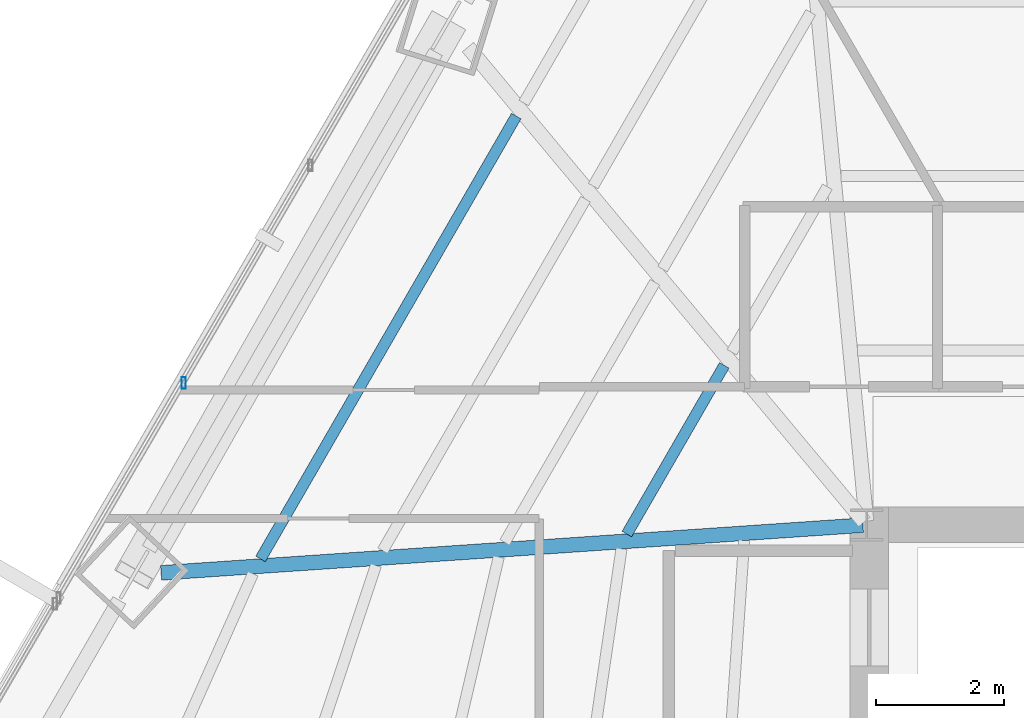
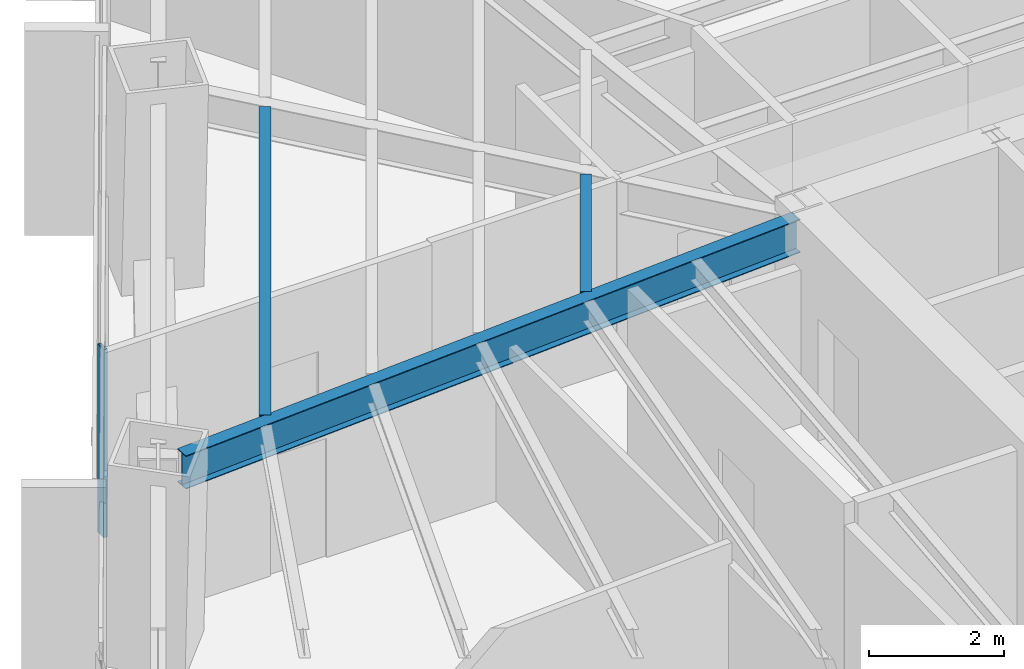
# One storey, part 10 of 33: 3 beams, 1 member, 1 element without a shape of its own.
"""IFC4 building model written with IfcOpenShell, lengths in metres."""

from ifc_helpers import new_model, si_unit, direction, frame, origin, origin_2d, place, context, subcontext, project, spatial, hollow_rectangle, i_section, extrude, source, transform, mapped, material, material_profile, profile_set, type_object, type_shapes, element, aggregate, save


model = new_model("IFC4")

# Units and contexts
model_context = context("Model", 3, precision=1e-05, world=origin(), true_north=direction((0.0, 1.0)))
body_context = subcontext(model_context, "Body", "Model", "MODEL_VIEW")
ifc_project = project(units=[si_unit("LENGTHUNIT", "METRE"), si_unit("AREAUNIT", "SQUARE_METRE"), si_unit("VOLUMEUNIT", "CUBIC_METRE"), si_unit("PLANEANGLEUNIT", "RADIAN"), si_unit("MASSUNIT", "GRAM", prefix="KILO")], contexts=[model_context])

# Site, building, storey
site_placement = place(None, origin())
site = spatial("IfcSite", under=ifc_project, at=site_placement, CompositionType="ELEMENT")
building_placement = place(site_placement, origin())
building = spatial("IfcBuilding", under=site, at=building_placement, Name="Caelisora Broadcast Tower", CompositionType="ELEMENT")
storey_placement = place(building_placement, frame((0.0, 0.0, 34.89990234375)))
storey = spatial("IfcBuildingStorey", under=building, at=storey_placement, Name="L08", CompositionType="ELEMENT", Elevation=34.89990234375)

# Beams
ifc_material_1 = material(Name="Steel Grade 350 (AS/NZS 3679.1)", Category="steel")
ifc_material_profile_1 = material_profile(ifc_material_1, i_section(OverallWidth=0.22802734375, OverallDepth=0.602294921875, WebThickness=0.010498046875, FlangeThickness=0.014892578125, at=origin_2d()), Name="Steel Grade 350 (AS/NZS 3679.1)")
ifc_profile_set_1 = profile_set([ifc_material_profile_1], Name="Steel Grade 350 (AS/NZS 3679.1)")
beam_type_1 = type_object("IfcBeamType", Name="PG04", PredefinedType="BEAM", material=ifc_profile_set_1)
shared_shape_1 = source(origin(), body_context, "Body", "SweptSolid", [
    extrude(i_section(OverallWidth=0.22802734375, OverallDepth=0.602294921875, WebThickness=0.010498046875, FlangeThickness=0.014892578125, at=origin_2d()), origin(), (0.0, 0.0, 1.0), 10.949462890625),
])
type_shapes(beam_type_1, [shared_shape_1])
beam_1_placement = place(storey_placement, frame((30.440185546875, 29.995849609375, 3.098876953125), z_axis=(-0.997698594427, -0.06780497532, 0.0), x_axis=(0.06780497532, -0.997698594427, 0.0)))
element("IfcBeam", 1, at=beam_1_placement, inside=storey, type_object=beam_type_1, Name="L08 beam PG04", PredefinedType="BEAM", context=body_context, shape_type="MappedRepresentation", body=[
    mapped(shared_shape_1, transform((0.0, 0.0, 0.0), scale=1.0)),
])
ifc_material_profile_2 = material_profile(ifc_material_1, i_section(OverallWidth=0.172119140625, OverallDepth=0.358642578125, WebThickness=0.008056640625, FlangeThickness=0.012939453125, at=origin_2d()), Name="Steel Grade 350 (AS/NZS 3679.1)")
ifc_profile_set_2 = profile_set([ifc_material_profile_2], Name="Steel Grade 350 (AS/NZS 3679.1)")
beam_type_2 = type_object("IfcBeamType", Name="SB02", PredefinedType="JOIST", material=ifc_profile_set_2)
shared_shape_2 = source(origin(), body_context, "Body", "SweptSolid", [
    extrude(i_section(OverallWidth=0.172119140625, OverallDepth=0.358642578125, WebThickness=0.008056640625, FlangeThickness=0.012939453125, at=origin_2d()), origin(), (0.0, 0.0, 1.0), 3.03173828125),
])
beam_2_placement = place(storey_placement, frame((28.281982421875, 32.4833984375, 3.220703125), z_axis=(-0.500010581911, -0.866019294229, 0.0), x_axis=(0.866019294229, -0.500010581911, 0.0)))
element("IfcBeam", 2, at=beam_2_placement, inside=storey, type_object=beam_type_2, Name="L08 beam SB02", PredefinedType="JOIST", context=body_context, shape_type="MappedRepresentation", body=[
    mapped(shared_shape_2, transform((0.0, 0.0, 0.0), scale=1.0)),
])
shared_shape_3 = source(origin(), body_context, "Body", "SweptSolid", [
    extrude(i_section(OverallWidth=0.172119140625, OverallDepth=0.358642578125, WebThickness=0.008056640625, FlangeThickness=0.012939453125, at=origin_2d()), origin(), (0.0, 0.0, 1.0), 7.958251953125),
])
type_shapes(beam_type_2, [shared_shape_2, shared_shape_3])
beam_3_placement = place(storey_placement, frame((25.043701171875, 36.362548828125, 3.220703125), z_axis=(-0.500009246893, -0.866020065022, 0.0), x_axis=(0.866020065022, -0.500009246893, 0.0)))
element("IfcBeam", 3, at=beam_3_placement, inside=storey, type_object=beam_type_2, Name="L08 beam SB02", PredefinedType="JOIST", context=body_context, shape_type="MappedRepresentation", body=[
    mapped(shared_shape_3, transform((0.0, 0.0, 0.0), scale=1.0)),
])

# Curtain wall, member
ifc_material_2 = material(Name="Unitised Aluminium Insulated Shadow-Box Spandrel Curtain Wall", Category="aluminium")
curtain_wall_type = type_object("IfcCurtainWallType", Name="CW-SP1", PredefinedType="NOTDEFINED", material=ifc_material_2)
curtain_wall_placement = place(storey_placement, origin())
curtain_wall = element("IfcCurtainWall", 4, at=curtain_wall_placement, inside=storey, type_object=curtain_wall_type, Name="L08 curtain wall CW-SP1", PredefinedType="NOTDEFINED")
ifc_material_3 = material(Name="Aluminium 6063-T6 Anodised Terracotta Bronze", Category="aluminium")
ifc_material_profile_3 = material_profile(ifc_material_3, hollow_rectangle(XDim=0.06494140625, YDim=0.179931640625, WallThickness=0.00341796875, at=origin_2d()), Name="Aluminium 6063-T6 Anodised Terracotta Bronze")
ifc_profile_set_3 = profile_set([ifc_material_profile_3], Name="Aluminium 6063-T6 Anodised Terracotta Bronze")
member_type = type_object("IfcMemberType", Name="CWM-02", PredefinedType="MULLION", material=ifc_profile_set_3)
shared_shape_4 = source(origin(), body_context, "Body", "SweptSolid", [
    extrude(hollow_rectangle(XDim=0.06494140625, YDim=0.179931640625, WallThickness=0.00341796875, at=origin_2d()), origin(), (0.0, 0.0, 1.0), 3.400146484375),
])
type_shapes(member_type, [shared_shape_4])
member_placement = place(storey_placement, frame((19.868896484375, 32.2080078125, 0.0), z_axis=(0.0, 0.0, 1.0), x_axis=(1.0, 0.0, 0.0)))
member = element("IfcMember", 5, at=member_placement, type_object=member_type, Name="L08-CW-B10 mullion #1", PredefinedType="MULLION", context=body_context, shape_type="MappedRepresentation", body=[
    mapped(shared_shape_4, transform((0.0, 0.0, 0.0), scale=1.0)),
])
aggregate(curtain_wall, [member])

save(model, "model.ifc")
